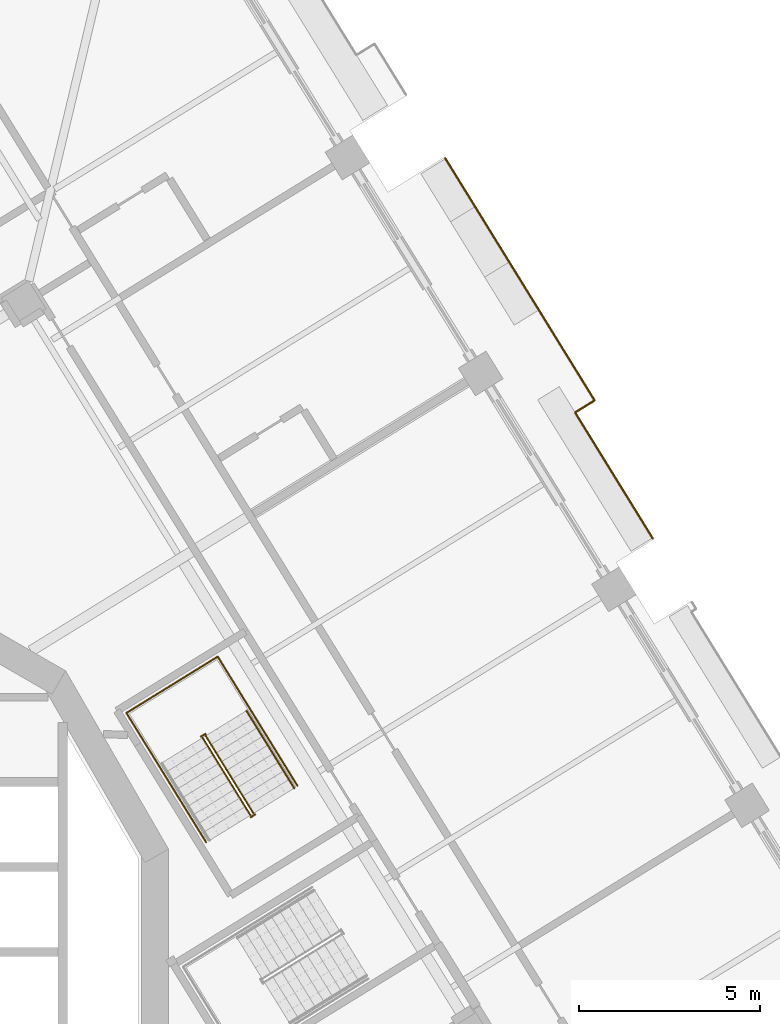
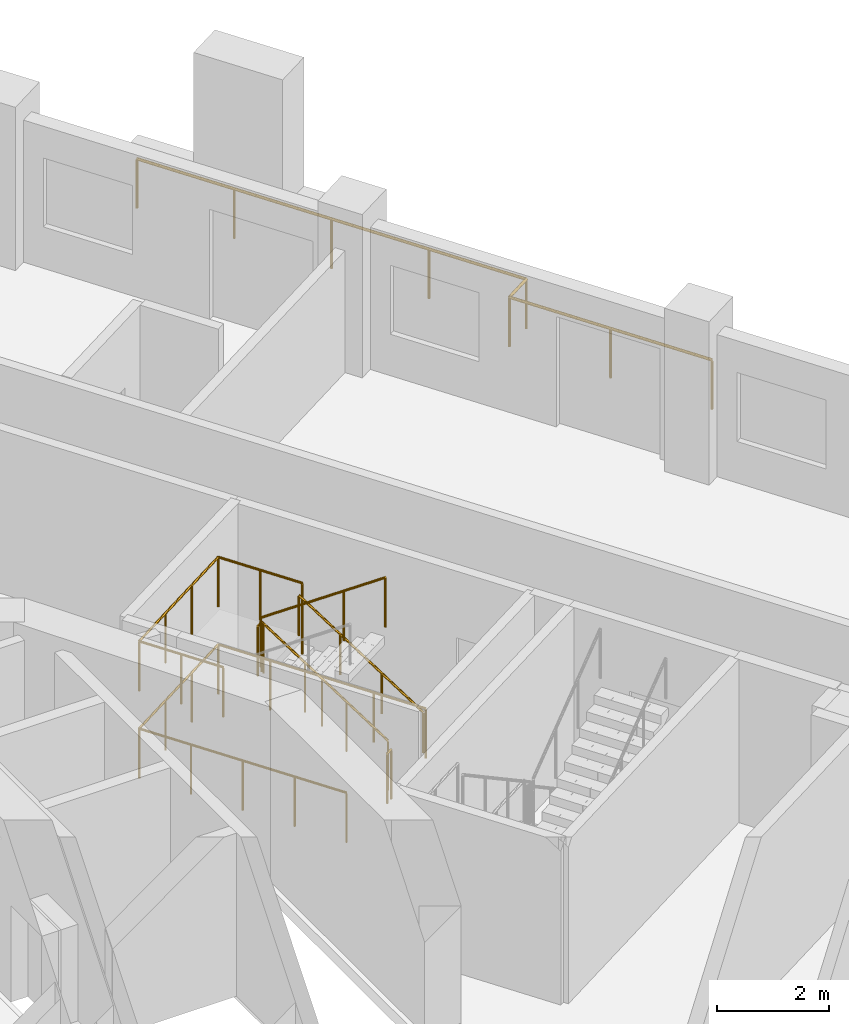
# One storey, part 18 of 20: 8 railings.
"""IFC4 building model written with IfcOpenShell, lengths in metres."""

from ifc_helpers import new_model, si_unit, direction, frame, origin, origin_2d, place, context, subcontext, project, spatial, circle, extrude, material, type_object, element, save


model = new_model("IFC4")

# Units and contexts
model_context = context("Model", 3, precision=1e-05, world=origin(), true_north=direction((0.0, 1.0)))
body_context = subcontext(model_context, "Body", "Model", "MODEL_VIEW")
ifc_project = project(units=[si_unit("LENGTHUNIT", "METRE"), si_unit("AREAUNIT", "SQUARE_METRE"), si_unit("VOLUMEUNIT", "CUBIC_METRE"), si_unit("PLANEANGLEUNIT", "RADIAN"), si_unit("MASSUNIT", "GRAM", prefix="KILO")], contexts=[model_context])

# Site, building, storey
site_placement = place(None, origin())
site = spatial("IfcSite", under=ifc_project, at=site_placement, CompositionType="ELEMENT")
building_placement = place(site_placement, origin())
building = spatial("IfcBuilding", under=site, at=building_placement, Name="Cantera Rosa Tower", CompositionType="ELEMENT")
storey_placement = place(building_placement, frame((0.0, 0.0, 151.39990234375)))
storey = spatial("IfcBuildingStorey", under=building, at=storey_placement, Name="L32", CompositionType="ELEMENT", Elevation=151.39990234375)

# Railings
ifc_material_1 = material(Name="Stainless steel and laminated glass", Category="steel")
railing_type_1 = type_object("IfcRailingType", Name="GUARD 1100", PredefinedType="BALUSTRADE", material=ifc_material_1)
railing_1_placement = place(storey_placement, frame((21.87841796875, 14.926025390625, 0.0)))
element("IfcRailing", 1, at=railing_1_placement, inside=storey, type_object=railing_type_1, Name="GUARD L32-11", PredefinedType="BALUSTRADE", context=body_context, shape_type="SweptSolid", body=[
    extrude(circle(Radius=0.030029296875, at=origin_2d()), frame((0.0, 0.0, 1.070068359375), z_axis=(0.524961354573, -0.851126063639, 0.0), x_axis=(0.851126063639, 0.524961354573, 0.0)), (0.0, 0.0, 1.0), 4.09814453125),
    extrude(circle(Radius=0.02490234375, at=origin_2d()), origin(), (0.0, 0.0, 1.0), 1.0400390625),
    extrude(circle(Radius=0.02490234375, at=origin_2d()), frame((1.07568359375, -1.744140625, 0.0)), (0.0, 0.0, 1.0), 1.0400390625),
    extrude(circle(Radius=0.02490234375, at=origin_2d()), frame((2.1513671875, -3.488037109375, 0.0)), (0.0, 0.0, 1.0), 1.0400390625),
])
railing_2_placement = place(storey_placement, frame((18.281005859375, 21.9677734375, 0.0)))
element("IfcRailing", 2, at=railing_2_placement, inside=storey, type_object=railing_type_1, Name="GUARD L32-12", PredefinedType="BALUSTRADE", context=body_context, shape_type="SweptSolid", body=[
    extrude(circle(Radius=0.030029296875, at=origin_2d()), frame((0.0, 0.0, 1.070068359375), z_axis=(0.524983698437, -0.851112281885, 0.0), x_axis=(0.851112281885, 0.524983698437, 0.0)), (0.0, 0.0, 1.0), 7.882080078125),
    extrude(circle(Radius=0.030029296875, at=origin_2d()), frame((4.137939453125, -6.70849609375, 1.070068359375), z_axis=(-0.85122239687, -0.524805136281, 0.0), x_axis=(0.524805136281, -0.85122239687, 0.0)), (0.0, 0.0, 1.0), 0.635009765625),
    extrude(circle(Radius=0.02490234375, at=origin_2d()), origin(), (0.0, 0.0, 1.0), 1.0400390625),
    extrude(circle(Radius=0.02490234375, at=origin_2d()), frame((1.034423828125, -1.67724609375, 0.0)), (0.0, 0.0, 1.0), 1.0400390625),
    extrude(circle(Radius=0.02490234375, at=origin_2d()), frame((2.06884765625, -3.354248046875, 0.0)), (0.0, 0.0, 1.0), 1.0400390625),
    extrude(circle(Radius=0.02490234375, at=origin_2d()), frame((3.103515625, -5.03125, 0.0)), (0.0, 0.0, 1.0), 1.0400390625),
    extrude(circle(Radius=0.02490234375, at=origin_2d()), frame((4.137939453125, -6.70849609375, 0.0)), (0.0, 0.0, 1.0), 1.0400390625),
    extrude(circle(Radius=0.02490234375, at=origin_2d()), frame((3.597412109375, -7.041748046875, 0.0)), (0.0, 0.0, 1.0), 1.0400390625),
])
ifc_material_2 = material(Name="Steel S355J2 (EN 10025-2)", Category="steel")
railing_type_2 = type_object("IfcRailingType", Name="STAIR GUARD 1100", PredefinedType="GUARDRAIL", material=ifc_material_2)
railing_3_placement = place(storey_placement, frame((12.9765625, 3.834228515625, 0.190185546875)))
element("IfcRailing", 3, at=railing_3_placement, inside=storey, type_object=railing_type_2, Name="L32 ST-31 stair guard 1", PredefinedType="GUARDRAIL", context=body_context, shape_type="SweptSolid", body=[
    extrude(circle(Radius=0.02392578125, at=origin_2d()), frame((0.0, 0.0, 1.076171875), z_axis=(-0.434362572038, 0.70429590169, 0.561512634654), x_axis=(-0.851145618652, -0.524929648476, 0.0)), (0.0, 0.0, 1.0), 3.045166015625),
    extrude(circle(Radius=0.02392578125, at=origin_2d()), frame((-1.32275390625, 2.144775390625, 2.7861328125), z_axis=(-0.073711968402, 0.997279572494, 0.0), x_axis=(-0.997279572494, -0.073711968402, 0.0)), (0.0, 0.0, 1.0), 0.056396484375),
    extrude(circle(Radius=0.02392578125, at=origin_2d()), frame((-1.326904296875, 2.200927734375, 2.7861328125), z_axis=(-0.851546489876, -0.524279100842, 0.0), x_axis=(0.524279100842, -0.851546489876, 0.0)), (0.0, 0.0, 1.0), 0.14990234375),
    extrude(circle(Radius=0.02099609375, at=origin_2d()), origin(), (0.0, 0.0, 1.0), 1.052001953125),
    extrude(circle(Radius=0.02099609375, at=origin_2d()), frame((-0.44091796875, 0.71484375, 0.570068359375)), (0.0, 0.0, 1.0), 1.052001953125),
    extrude(circle(Radius=0.02099609375, at=origin_2d()), frame((-0.8818359375, 1.429931640625, 1.139892578125)), (0.0, 0.0, 1.0), 1.052001953125),
    extrude(circle(Radius=0.02099609375, at=origin_2d()), frame((-1.32275390625, 2.144775390625, 1.7099609375)), (0.0, 0.0, 1.0), 1.052001953125),
    extrude(circle(Radius=0.02099609375, at=origin_2d()), frame((-1.326904296875, 2.200927734375, 1.7099609375)), (0.0, 0.0, 1.0), 1.052001953125),
    extrude(circle(Radius=0.02099609375, at=origin_2d()), frame((-1.45458984375, 2.122314453125, 1.7099609375)), (0.0, 0.0, 1.0), 1.052001953125),
])
railing_4_placement = place(storey_placement, frame((11.5703125, 5.927490234375, 2.090087890625)))
element("IfcRailing", 4, at=railing_4_placement, inside=storey, type_object=railing_type_2, Name="L32 ST-31 stair guard 2", PredefinedType="GUARDRAIL", context=body_context, shape_type="SweptSolid", body=[
    extrude(circle(Radius=0.02392578125, at=origin_2d()), frame((0.0, 0.0, 1.076171875), z_axis=(0.434427613125, -0.704271375033, 0.561493080334), x_axis=(0.851102330005, 0.524999832248, 0.0)), (0.0, 0.0, 1.0), 3.04541015625),
    extrude(circle(Radius=0.02099609375, at=origin_2d()), origin(), (0.0, 0.0, 1.0), 1.052001953125),
    extrude(circle(Radius=0.02099609375, at=origin_2d()), frame((0.44091796875, -0.71484375, 0.570068359375)), (0.0, 0.0, 1.0), 1.052001953125),
    extrude(circle(Radius=0.02099609375, at=origin_2d()), frame((0.882080078125, -1.429931640625, 1.139892578125)), (0.0, 0.0, 1.0), 1.052001953125),
    extrude(circle(Radius=0.02099609375, at=origin_2d()), frame((1.322998046875, -2.144775390625, 1.7099609375)), (0.0, 0.0, 1.0), 1.052001953125),
])
railing_5_placement = place(storey_placement, frame((13.025146484375, 3.80517578125, 0.0)))
element("IfcRailing", 5, at=railing_5_placement, inside=storey, type_object=railing_type_2, Name="L32 ST-31 stair guard 3", PredefinedType="GUARDRAIL", context=body_context, shape_type="SweptSolid", body=[
    extrude(circle(Radius=0.02392578125, at=origin_2d()), frame((0.0, 0.0, 1.076171875), z_axis=(-0.851546489876, -0.524279100842, 0.0), x_axis=(0.524279100842, -0.851546489876, 0.0)), (0.0, 0.0, 1.0), 0.14990234375),
    extrude(circle(Radius=0.02099609375, at=origin_2d()), origin(), (0.0, 0.0, 1.0), 1.052001953125),
    extrude(circle(Radius=0.02099609375, at=origin_2d()), frame((-0.127685546875, -0.07861328125, 0.0)), (0.0, 0.0, 1.0), 1.052001953125),
])
railing_6_placement = place(storey_placement, frame((14.192626953125, 4.59814453125, 0.0)))
element("IfcRailing", 6, at=railing_6_placement, inside=storey, type_object=railing_type_2, Name="L32 ST-31 stair guard 4", PredefinedType="GUARDRAIL", context=body_context, shape_type="SweptSolid", body=[
    extrude(circle(Radius=0.02392578125, at=origin_2d()), frame((0.0, 0.0, 1.076171875), z_axis=(-0.524976478809, 0.851116735059, 0.0), x_axis=(-0.851116735059, -0.524976478809, 0.0)), (0.0, 0.0, 1.0), 4.197998046875),
    extrude(circle(Radius=0.02392578125, at=origin_2d()), frame((-2.203857421875, 3.572998046875, 1.076171875), z_axis=(-0.851132917336, -0.524950242429, 0.0), x_axis=(0.524950242429, -0.851132917336, 0.0)), (0.0, 0.0, 1.0), 2.969970703125),
    extrude(circle(Radius=0.02392578125, at=origin_2d()), frame((-4.731689453125, 2.013916015625, 1.076171875), z_axis=(0.524976478809, -0.851116735059, 0.0), x_axis=(0.851116735059, 0.524976478809, 0.0)), (0.0, 0.0, 1.0), 4.197998046875),
    extrude(circle(Radius=0.02099609375, at=origin_2d()), origin(), (0.0, 0.0, 1.0), 1.052001953125),
    extrude(circle(Radius=0.02099609375, at=origin_2d()), frame((-0.551025390625, 0.893310546875, 0.0)), (0.0, 0.0, 1.0), 1.052001953125),
    extrude(circle(Radius=0.02099609375, at=origin_2d()), frame((-1.10205078125, 1.78662109375, 0.0)), (0.0, 0.0, 1.0), 1.052001953125),
    extrude(circle(Radius=0.02099609375, at=origin_2d()), frame((-1.65283203125, 2.6796875, 0.0)), (0.0, 0.0, 1.0), 1.052001953125),
    extrude(circle(Radius=0.02099609375, at=origin_2d()), frame((-2.203857421875, 3.572998046875, 0.0)), (0.0, 0.0, 1.0), 1.052001953125),
    extrude(circle(Radius=0.02099609375, at=origin_2d()), frame((-3.04638671875, 3.05322265625, 0.0)), (0.0, 0.0, 1.0), 1.052001953125),
    extrude(circle(Radius=0.02099609375, at=origin_2d()), frame((-3.88916015625, 2.53369140625, 0.0)), (0.0, 0.0, 1.0), 1.052001953125),
    extrude(circle(Radius=0.02099609375, at=origin_2d()), frame((-4.731689453125, 2.013916015625, 0.0)), (0.0, 0.0, 1.0), 1.052001953125),
    extrude(circle(Radius=0.02099609375, at=origin_2d()), frame((-4.1806640625, 1.12060546875, 0.0)), (0.0, 0.0, 1.0), 1.052001953125),
    extrude(circle(Radius=0.02099609375, at=origin_2d()), frame((-3.6298828125, 0.2275390625, 0.0)), (0.0, 0.0, 1.0), 1.052001953125),
    extrude(circle(Radius=0.02099609375, at=origin_2d()), frame((-3.078857421875, -0.665771484375, 0.0)), (0.0, 0.0, 1.0), 1.052001953125),
    extrude(circle(Radius=0.02099609375, at=origin_2d()), frame((-2.52783203125, -1.55908203125, 0.0)), (0.0, 0.0, 1.0), 1.052001953125),
])
railing_7_placement = place(storey_placement, frame((12.88232421875, 6.72265625, 1.900146484375)))
element("IfcRailing", 7, at=railing_7_placement, inside=storey, type_object=railing_type_2, Name="L32 ST-31 stair guard 5", PredefinedType="GUARDRAIL", context=body_context, shape_type="SweptSolid", body=[
    extrude(circle(Radius=0.02392578125, at=origin_2d()), frame((0.0, 0.0, 1.076171875), z_axis=(-0.525025534833, 0.851086474909, 0.0), x_axis=(-0.851086474909, -0.525025534833, 0.0)), (0.0, 0.0, 1.0), 1.701904296875),
    extrude(circle(Radius=0.02392578125, at=origin_2d()), frame((-0.8935546875, 1.448486328125, 1.076171875), z_axis=(-0.851132917336, -0.524950242429, 0.0), x_axis=(0.524950242429, -0.851132917336, 0.0)), (0.0, 0.0, 1.0), 2.969970703125),
    extrude(circle(Radius=0.02392578125, at=origin_2d()), frame((-3.42138671875, -0.110595703125, 1.076171875), z_axis=(0.524961441845, -0.851126009811, 0.0), x_axis=(0.851126009811, 0.524961441845, 0.0)), (0.0, 0.0, 1.0), 1.7021484375),
    extrude(circle(Radius=0.02099609375, at=origin_2d()), origin(), (0.0, 0.0, 1.0), 1.052001953125),
    extrude(circle(Radius=0.02099609375, at=origin_2d()), frame((-0.44677734375, 0.72412109375, 0.0)), (0.0, 0.0, 1.0), 1.052001953125),
    extrude(circle(Radius=0.02099609375, at=origin_2d()), frame((-0.8935546875, 1.448486328125, 0.0)), (0.0, 0.0, 1.0), 1.052001953125),
    extrude(circle(Radius=0.02099609375, at=origin_2d()), frame((-1.736083984375, 0.9287109375, 0.0)), (0.0, 0.0, 1.0), 1.052001953125),
    extrude(circle(Radius=0.02099609375, at=origin_2d()), frame((-2.578857421875, 0.4091796875, 0.0)), (0.0, 0.0, 1.0), 1.052001953125),
    extrude(circle(Radius=0.02099609375, at=origin_2d()), frame((-3.42138671875, -0.110595703125, 0.0)), (0.0, 0.0, 1.0), 1.052001953125),
    extrude(circle(Radius=0.02099609375, at=origin_2d()), frame((-2.974609375, -0.8349609375, 0.0)), (0.0, 0.0, 1.0), 1.052001953125),
    extrude(circle(Radius=0.02099609375, at=origin_2d()), frame((-2.52783203125, -1.559326171875, 0.0)), (0.0, 0.0, 1.0), 1.052001953125),
])
ifc_material_3 = material(Name="Steel S355J2 (EN 10025-2)", Category="steel")
railing_type_3 = type_object("IfcRailingType", Name="STAIR HANDRAIL 900", PredefinedType="HANDRAIL", material=ifc_material_3)
railing_8_placement = place(storey_placement, frame((14.105224609375, 4.5302734375, 0.190185546875)))
element("IfcRailing", 8, at=railing_8_placement, inside=storey, type_object=railing_type_3, Name="L32 ST-31 stair handrail 1", PredefinedType="HANDRAIL", context=body_context, shape_type="SweptSolid", body=[
    extrude(circle(Radius=0.02392578125, at=origin_2d()), frame((0.0, 0.0, 0.8759765625), z_axis=(-0.434427613125, 0.704271375033, 0.561493080334), x_axis=(-0.851102330005, -0.524999832248, 0.0)), (0.0, 0.0, 1.0), 3.04541015625),
    extrude(circle(Radius=0.02099609375, at=origin_2d()), origin(), (0.0, 0.0, 1.0), 0.851806640625),
    extrude(circle(Radius=0.02099609375, at=origin_2d()), frame((-0.44091796875, 0.71484375, 0.570068359375)), (0.0, 0.0, 1.0), 0.851806640625),
    extrude(circle(Radius=0.02099609375, at=origin_2d()), frame((-0.882080078125, 1.429931640625, 1.139892578125)), (0.0, 0.0, 1.0), 0.851806640625),
    extrude(circle(Radius=0.02099609375, at=origin_2d()), frame((-1.322998046875, 2.144775390625, 1.7099609375)), (0.0, 0.0, 1.0), 0.851806640625),
])

save(model, "model.ifc")
